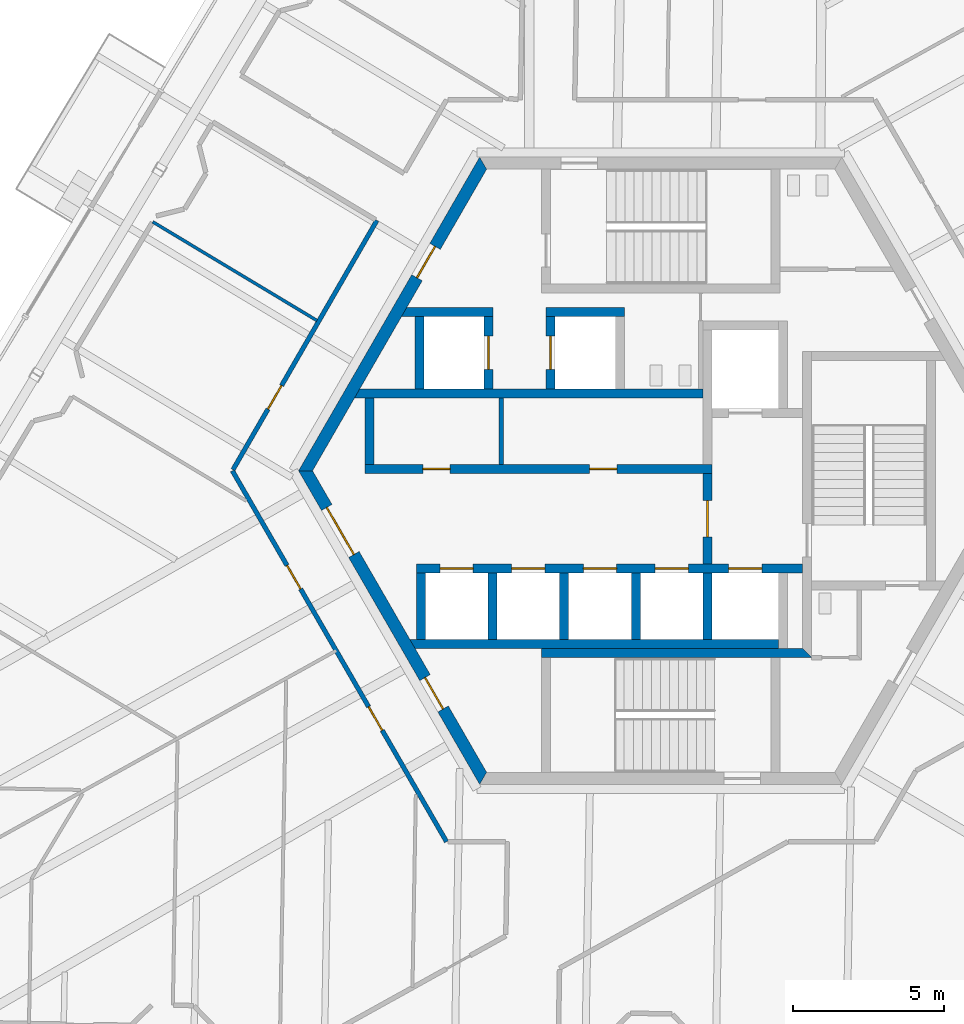
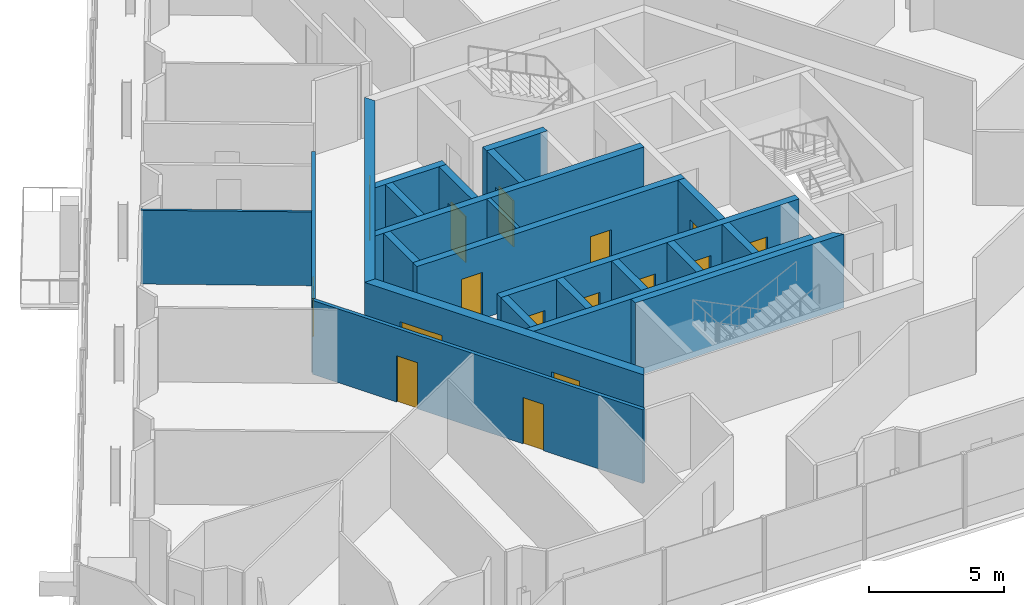
# One storey, part 16 of 24: 23 walls, 16 doors, 16 openings.
"""IFC4 building model written with IfcOpenShell, lengths in metres."""

from ifc_helpers import new_model, si_unit, direction, frame, frame_2d, origin, place, context, subcontext, project, spatial, polyline, rectangle, outline, extrude, source, transform, mapped, material, layer, layer_set, type_object, element, fill, save


model = new_model("IFC4")

# Units and contexts
model_context = context("Model", 3, precision=1e-05, world=origin(), true_north=direction((0.0, 1.0)))
body_context = subcontext(model_context, "Body", "Model", "MODEL_VIEW")
ifc_project = project(units=[si_unit("LENGTHUNIT", "METRE"), si_unit("AREAUNIT", "SQUARE_METRE"), si_unit("VOLUMEUNIT", "CUBIC_METRE"), si_unit("PLANEANGLEUNIT", "RADIAN"), si_unit("MASSUNIT", "GRAM", prefix="KILO")], contexts=[model_context])

# Site, building, storey
site_placement = place(None, origin())
site = spatial("IfcSite", under=ifc_project, at=site_placement, CompositionType="ELEMENT")
building_placement = place(site_placement, origin())
building = spatial("IfcBuilding", under=site, at=building_placement, Name="Triune Harvest Tower", CompositionType="ELEMENT")
storey_placement = place(building_placement, frame((0.0, 0.0, 212.300048828125)))
storey = spatial("IfcBuildingStorey", under=building, at=storey_placement, Name="L55", CompositionType="ELEMENT", Elevation=212.300048828125)

# Wall, openings, doors
ifc_material_1 = material(Name="Gypsum board on steel studs", Category="steel")
ifc_layer_1 = layer(ifc_material_1, 0.14990234375)
ifc_layer_set_1 = layer_set([ifc_layer_1], Name="Gypsum board on steel studs")
wall_type_1 = type_object("IfcWallType", Name="Fire Partition 150 mm", PredefinedType="PARTITIONING", material=ifc_layer_set_1)
wall_1_placement = place(storey_placement, frame((-14.19384765625, -0.000244140625, 0.0), z_axis=(0.0, 0.0, 1.0), x_axis=(0.499994435258, -0.866028616566, 0.0)))
wall_1 = element("IfcWall", 1, at=wall_1_placement, inside=storey, type_object=wall_type_1, Name="Partition L55 026", PredefinedType="PARTITIONING", context=body_context, shape_type="SweptSolid", body=[
    extrude(rectangle(XDim=14.193603515625, YDim=0.14990234375, at=frame_2d((7.0966796875, 0.0))), origin(), (0.0, 0.0, 1.0), 3.349853515625),
])
opening_1_placement = place(wall_1_placement, frame((3.622314453125, 0.0, 0.0)))
opening_1 = element("IfcOpeningElement", 2, at=opening_1_placement, cuts=wall_1, Name="Opening L55-017", PredefinedType="OPENING", context=body_context, shape_type="SweptSolid", body=[
    extrude(rectangle(XDim=0.89990234375, YDim=2.10009765625, at=frame_2d((0.449951171875, 1.050048828125))), frame((0.0, 0.0849609375, 0.0), z_axis=(0.0, -1.0, 0.0), x_axis=(1.0, 0.0, 0.0)), (0.0, 0.0, 1.0), 0.169921875),
])
opening_2_placement = place(wall_1_placement, frame((9.0322265625, 0.0, 0.0)))
opening_2 = element("IfcOpeningElement", 3, at=opening_2_placement, cuts=wall_1, Name="Opening L55-023", PredefinedType="OPENING", context=body_context, shape_type="SweptSolid", body=[
    extrude(rectangle(XDim=0.89990234375, YDim=2.10009765625, at=frame_2d((0.449951171875, 1.050048828125))), frame((0.0, 0.0849609375, 0.0), z_axis=(0.0, -1.0, 0.0), x_axis=(1.0, 0.0, 0.0)), (0.0, 0.0, 1.0), 0.169921875),
])
ifc_material_2 = material(Name="Timber and steel door set", Category="steel")
door_type_1 = type_object("IfcDoorType", Name="Single leaf door FD30 left hand 900 x 2100", OperationType="SINGLE_SWING_LEFT", PredefinedType="DOOR", material=ifc_material_2)
door_1_placement = place(opening_2_placement, origin())
door_1 = element("IfcDoor", 4, at=door_1_placement, inside=storey, type_object=door_type_1, Name="Door L55-023 Office 55.23", OperationType="SINGLE_SWING_LEFT", OverallHeight=2.10009765625, OverallWidth=0.89990234375, PredefinedType="DOOR", context=body_context, shape_type="SweptSolid", body=[
    extrude(rectangle(XDim=0.89990234375, YDim=2.10009765625, at=frame_2d((0.449951171875, 1.050048828125))), frame((0.0, 0.02490234375, 0.0), z_axis=(0.0, -1.0, 0.0), x_axis=(1.0, 0.0, 0.0)), (0.0, 0.0, 1.0), 0.050048828125),
])
fill(opening_2, door_1)
ifc_material_3 = material(Name="Timber and steel door set", Category="steel")
door_type_2 = type_object("IfcDoorType", Name="Single leaf door FD30 right hand 900 x 2100", OperationType="SINGLE_SWING_RIGHT", PredefinedType="DOOR", material=ifc_material_3)
door_2_placement = place(opening_1_placement, origin())
door_2 = element("IfcDoor", 5, at=door_2_placement, inside=storey, type_object=door_type_2, Name="Door L55-017 Office 55.17", OperationType="SINGLE_SWING_RIGHT", OverallHeight=2.10009765625, OverallWidth=0.89990234375, PredefinedType="DOOR", context=body_context, shape_type="SweptSolid", body=[
    extrude(rectangle(XDim=0.89990234375, YDim=2.10009765625, at=frame_2d((0.449951171875, 1.050048828125))), frame((0.0, 0.02490234375, 0.0), z_axis=(0.0, -1.0, 0.0), x_axis=(1.0, 0.0, 0.0)), (0.0, 0.0, 1.0), 0.050048828125),
])
fill(opening_1, door_2)

# Wall, opening, door
wall_2_placement = place(storey_placement, frame((-14.173828125, 0.034423828125, 0.0), z_axis=(0.0, 0.0, 1.0), x_axis=(0.499983238857, 0.866035080619, 0.0)))
wall_2 = element("IfcWall", 6, at=wall_2_placement, inside=storey, type_object=wall_type_1, Name="Partition L55 123", PredefinedType="PARTITIONING", context=body_context, shape_type="SweptSolid", body=[
    extrude(rectangle(XDim=9.535400390625, YDim=0.14990234375, at=frame_2d((4.767578125, 0.0))), origin(), (0.0, 0.0, 1.0), 3.349853515625),
])
opening_3_placement = place(wall_2_placement, frame((2.3212890625, 0.0, 0.0)))
opening_3 = element("IfcOpeningElement", 7, at=opening_3_placement, cuts=wall_2, Name="Opening L55-016", PredefinedType="OPENING", context=body_context, shape_type="SweptSolid", body=[
    extrude(rectangle(XDim=0.89990234375, YDim=2.10009765625, at=frame_2d((0.449951171875, 1.050048828125))), frame((0.0, 0.0849609375, 0.0), z_axis=(0.0, -1.0, 0.0), x_axis=(1.0, 0.0, 0.0)), (0.0, 0.0, 1.0), 0.169921875),
])
door_3_placement = place(opening_3_placement, origin())
door_3 = element("IfcDoor", 8, at=door_3_placement, inside=storey, type_object=door_type_1, Name="Door L55-016 Meeting Room 55.16", OperationType="SINGLE_SWING_LEFT", OverallHeight=2.10009765625, OverallWidth=0.89990234375, PredefinedType="DOOR", context=body_context, shape_type="SweptSolid", body=[
    extrude(rectangle(XDim=0.89990234375, YDim=2.10009765625, at=frame_2d((0.449951171875, 1.050048828125))), frame((0.0, 0.02490234375, 0.0), z_axis=(0.0, -1.0, 0.0), x_axis=(1.0, 0.0, 0.0)), (0.0, 0.0, 1.0), 0.050048828125),
])
fill(opening_3, door_3)

# Wall
ifc_material_4 = material(Name="Gypsum board on steel studs", Category="steel")
ifc_layer_2 = layer(ifc_material_4, 0.10009765625)
ifc_layer_set_2 = layer_set([ifc_layer_2], Name="Gypsum board on steel studs")
wall_type_2 = type_object("IfcWallType", Name="Partition 100 mm", PredefinedType="PARTITIONING", material=ifc_layer_set_2)
wall_3_placement = place(storey_placement, frame((-16.83349609375, 8.247802734375, 0.0), z_axis=(0.0, 0.0, 1.0), x_axis=(0.857184103166, -0.515010109881, 0.0)))
element("IfcWall", 9, at=wall_3_placement, inside=storey, type_object=wall_type_2, Name="Partition L55 037", PredefinedType="PARTITIONING", context=body_context, shape_type="SweptSolid", body=[
    extrude(rectangle(XDim=6.350830078125, YDim=0.10009765625, at=frame_2d((3.17529296875, 0.0))), origin(), (0.0, 0.0, 1.0), 3.349853515625),
])

# Wall, opening, door
ifc_material_5 = material(Name="Concrete 70 MPa", Category="concrete")
ifc_layer_3 = layer(ifc_material_5, 0.39990234375)
ifc_layer_set_3 = layer_set([ifc_layer_3], Name="Concrete 70 MPa")
wall_type_3 = type_object("IfcWallType", Name="Core wall 400", PredefinedType="SHEAR", material=ifc_layer_set_3)
shared_shape_1 = source(origin(), body_context, "Body", "SweptSolid", [
    extrude(outline(polyline([(-0.115478515625, -0.199951171875), (11.884521484375, -0.199951171875), (11.653564453125, 0.199951171875), (0.115478515625, 0.199951171875), (-0.115478515625, -0.199951171875)])), origin(), (0.0, 0.0, 1.0), 3.349853515625),
])
wall_4_placement = place(storey_placement, frame((-5.884521484375, 10.1923828125, 0.0), z_axis=(0.0, 0.0, 1.0), x_axis=(-0.499996592174, -0.866027371285, 0.0)))
wall_4 = element("IfcWall", 10, at=wall_4_placement, inside=storey, type_object=wall_type_3, Name="Hexagon 2 wall", PredefinedType="SHEAR", context=body_context, shape_type="MappedRepresentation", body=[
    mapped(shared_shape_1, transform((0.0, 0.0, 0.0), scale=1.0)),
])
opening_4_placement = place(wall_4_placement, frame((3.1845703125, 0.0, 0.0)))
opening_4 = element("IfcOpeningElement", 11, at=opening_4_placement, cuts=wall_4, Name="Opening CD-SVP", PredefinedType="OPENING", context=body_context, shape_type="SweptSolid", body=[
    extrude(rectangle(XDim=1.199951171875, YDim=2.10009765625, at=frame_2d((0.60009765625, 1.050048828125))), frame((0.0, 0.2099609375, 0.0), z_axis=(0.0, -1.0, 0.0), x_axis=(1.0, 0.0, 0.0)), (0.0, 0.0, 1.0), 0.419921875),
])
ifc_material_6 = material(Name="Steel S235", Category="steel")
door_type_3 = type_object("IfcDoorType", Name="Service door 1200 FD120", OperationType="SINGLE_SWING_LEFT", PredefinedType="DOOR", material=ifc_material_6)
door_4_placement = place(opening_4_placement, frame((1.199951171875, 0.0, 0.0), z_axis=(0.0, 0.0, 1.0), x_axis=(-1.0, 0.0, 0.0)))
door_4 = element("IfcDoor", 12, at=door_4_placement, inside=storey, type_object=door_type_3, Name="Door CD-SVP", OperationType="SINGLE_SWING_RIGHT", OverallHeight=2.10009765625, OverallWidth=1.199951171875, PredefinedType="DOOR", context=body_context, shape_type="SweptSolid", body=[
    extrude(rectangle(XDim=1.199951171875, YDim=2.10009765625, at=frame_2d((0.60009765625, 1.050048828125))), frame((0.0, 0.02490234375, 0.0), z_axis=(0.0, -1.0, 0.0), x_axis=(1.0, 0.0, 0.0)), (0.0, 0.0, 1.0), 0.050048828125),
])
fill(opening_4, door_4)

# Wall, openings, doors
wall_5_placement = place(storey_placement, frame((-11.76904296875, 0.0, 0.0), z_axis=(0.0, 0.0, 1.0), x_axis=(0.499996592174, -0.866027371285, 0.0)))
wall_5 = element("IfcWall", 13, at=wall_5_placement, inside=storey, type_object=wall_type_3, Name="Hexagon 3 wall", PredefinedType="SHEAR", context=body_context, shape_type="MappedRepresentation", body=[
    mapped(shared_shape_1, transform((0.0, 0.0, 0.0), scale=1.0)),
])
opening_5_placement = place(wall_5_placement, frame((1.404541015625, 0.0, 0.0)))
opening_5 = element("IfcOpeningElement", 14, at=opening_5_placement, cuts=wall_5, Name="Opening CD-LS", PredefinedType="OPENING", context=body_context, shape_type="SweptSolid", body=[
    extrude(rectangle(XDim=1.800048828125, YDim=2.10009765625, at=frame_2d((0.89990234375, 1.050048828125))), frame((0.0, 0.2099609375, 0.0), z_axis=(0.0, -1.0, 0.0), x_axis=(1.0, 0.0, 0.0)), (0.0, 0.0, 1.0), 0.419921875),
])
opening_6_placement = place(wall_5_placement, frame((7.91455078125, 0.0, 0.0)))
opening_6 = element("IfcOpeningElement", 15, at=opening_6_placement, cuts=wall_5, Name="Opening CD-SWP", PredefinedType="OPENING", context=body_context, shape_type="SweptSolid", body=[
    extrude(rectangle(XDim=1.199951171875, YDim=2.10009765625, at=frame_2d((0.60009765625, 1.050048828125))), frame((0.0, 0.2099609375, 0.0), z_axis=(0.0, -1.0, 0.0), x_axis=(1.0, 0.0, 0.0)), (0.0, 0.0, 1.0), 0.419921875),
])
ifc_material_7 = material(Name="Steel S235", Category="steel")
door_type_4 = type_object("IfcDoorType", Name="Lobby door 1800 FD120", OperationType="DOUBLE_DOOR_DOUBLE_SWING", PredefinedType="DOOR", material=ifc_material_7)
door_5_placement = place(opening_5_placement, frame((1.800048828125, 0.0, 0.0), z_axis=(0.0, 0.0, 1.0), x_axis=(-1.0, 0.0, 0.0)))
door_5 = element("IfcDoor", 16, at=door_5_placement, inside=storey, type_object=door_type_4, Name="Door CD-LS", OperationType="DOUBLE_DOOR_DOUBLE_SWING", OverallHeight=2.10009765625, OverallWidth=1.800048828125, PredefinedType="DOOR", context=body_context, shape_type="SweptSolid", body=[
    extrude(rectangle(XDim=1.800048828125, YDim=2.10009765625, at=frame_2d((0.89990234375, 1.050048828125))), frame((0.0, 0.02490234375, 0.0), z_axis=(0.0, -1.0, 0.0), x_axis=(1.0, 0.0, 0.0)), (0.0, 0.0, 1.0), 0.050048828125),
])
fill(opening_5, door_5)
door_6_placement = place(opening_6_placement, frame((1.199951171875, 0.0, 0.0), z_axis=(0.0, 0.0, 1.0), x_axis=(-1.0, 0.0, 0.0)))
door_6 = element("IfcDoor", 17, at=door_6_placement, inside=storey, type_object=door_type_3, Name="Door CD-SWP", OperationType="SINGLE_SWING_RIGHT", OverallHeight=2.10009765625, OverallWidth=1.199951171875, PredefinedType="DOOR", context=body_context, shape_type="SweptSolid", body=[
    extrude(rectangle(XDim=1.199951171875, YDim=2.10009765625, at=frame_2d((0.60009765625, 1.050048828125))), frame((0.0, 0.02490234375, 0.0), z_axis=(0.0, -1.0, 0.0), x_axis=(1.0, 0.0, 0.0)), (0.0, 0.0, 1.0), 0.050048828125),
])
fill(opening_6, door_6)

ifc_material_8 = material(Name="Concrete 70 MPa", Category="concrete")
ifc_layer_4 = layer(ifc_material_8, 0.300048828125)
ifc_layer_set_4 = layer_set([ifc_layer_4], Name="Concrete 70 MPa")
wall_type_4 = type_object("IfcWallType", Name="Core wall 300", PredefinedType="SHEAR", material=ifc_layer_set_4)
shared_shape_2 = source(origin(), body_context, "Body", "SweptSolid", [
    extrude(rectangle(XDim=11.5, YDim=0.300048828125, at=frame_2d((5.75, 0.0))), origin(), (0.0, 0.0, 1.0), 3.349853515625),
])
wall_6_placement = place(storey_placement, frame((-9.800048828125, 0.06005859375, 0.0), z_axis=(0.0, 0.0, 1.0), x_axis=(1.0, 0.0, 0.0)))
wall_6 = element("IfcWall", 18, at=wall_6_placement, inside=storey, type_object=wall_type_4, Name="North front wall", PredefinedType="SHEAR", context=body_context, shape_type="MappedRepresentation", body=[
    mapped(shared_shape_2, transform((0.0, 0.0, 0.0), scale=1.0)),
])
opening_7_placement = place(wall_6_placement, frame((1.922607421875, 0.0, 0.0)))
opening_7 = element("IfcOpeningElement", 19, at=opening_7_placement, cuts=wall_6, Name="Opening CD-RN1", PredefinedType="OPENING", context=body_context, shape_type="SweptSolid", body=[
    extrude(rectangle(XDim=0.89990234375, YDim=2.10009765625, at=frame_2d((0.449951171875, 1.050048828125))), frame((0.0, 0.16015625, 0.0), z_axis=(0.0, -1.0, 0.0), x_axis=(1.0, 0.0, 0.0)), (0.0, 0.0, 1.0), 0.320068359375),
])
opening_8_placement = place(wall_6_placement, frame((7.447509765625, 0.0, 0.0)))
opening_8 = element("IfcOpeningElement", 20, at=opening_8_placement, cuts=wall_6, Name="Opening CD-RN2", PredefinedType="OPENING", context=body_context, shape_type="SweptSolid", body=[
    extrude(rectangle(XDim=0.89990234375, YDim=2.10009765625, at=frame_2d((0.449951171875, 1.050048828125))), frame((0.0, 0.16015625, 0.0), z_axis=(0.0, -1.0, 0.0), x_axis=(1.0, 0.0, 0.0)), (0.0, 0.0, 1.0), 0.320068359375),
])
ifc_material_9 = material(Name="Steel S235", Category="steel")
door_type_5 = type_object("IfcDoorType", Name="Riser door 900 FD120", OperationType="SINGLE_SWING_LEFT", PredefinedType="DOOR", material=ifc_material_9)
door_7_placement = place(opening_7_placement, frame((0.89990234375, 0.0, 0.0), z_axis=(0.0, 0.0, 1.0), x_axis=(-1.0, 0.0, 0.0)))
door_7 = element("IfcDoor", 21, at=door_7_placement, inside=storey, type_object=door_type_5, Name="Door CD-RN1", OperationType="SINGLE_SWING_RIGHT", OverallHeight=2.10009765625, OverallWidth=0.89990234375, PredefinedType="DOOR", context=body_context, shape_type="SweptSolid", body=[
    extrude(rectangle(XDim=0.89990234375, YDim=2.10009765625, at=frame_2d((0.449951171875, 1.050048828125))), frame((0.0, 0.02490234375, 0.0), z_axis=(0.0, -1.0, 0.0), x_axis=(1.0, 0.0, 0.0)), (0.0, 0.0, 1.0), 0.050048828125),
])
fill(opening_7, door_7)
door_8_placement = place(opening_8_placement, frame((0.89990234375, 0.0, 0.0), z_axis=(0.0, 0.0, 1.0), x_axis=(-1.0, 0.0, 0.0)))
door_8 = element("IfcDoor", 22, at=door_8_placement, inside=storey, type_object=door_type_5, Name="Door CD-RN2", OperationType="SINGLE_SWING_RIGHT", OverallHeight=2.10009765625, OverallWidth=0.89990234375, PredefinedType="DOOR", context=body_context, shape_type="SweptSolid", body=[
    extrude(rectangle(XDim=0.89990234375, YDim=2.10009765625, at=frame_2d((0.449951171875, 1.050048828125))), frame((0.0, 0.02490234375, 0.0), z_axis=(0.0, -1.0, 0.0), x_axis=(1.0, 0.0, 0.0)), (0.0, 0.0, 1.0), 0.050048828125),
])
fill(opening_8, door_8)

# Wall
shared_shape_3 = source(origin(), body_context, "Body", "SweptSolid", [
    extrude(outline(polyline([(11.199951171875, -0.14990234375), (-0.34912109375, -0.14990234375), (-0.17578125, 0.14990234375), (11.199951171875, 0.14990234375), (11.199951171875, -0.14990234375)])), origin(), (0.0, 0.0, 1.0), 3.349853515625),
])
wall_7_placement = place(storey_placement, frame((-9.800048828125, 2.56005859375, 0.0), z_axis=(0.0, 0.0, 1.0), x_axis=(1.0, 0.0, 0.0)))
element("IfcWall", 23, at=wall_7_placement, inside=storey, type_object=wall_type_4, Name="North back wall", PredefinedType="SHEAR", context=body_context, shape_type="MappedRepresentation", body=[
    mapped(shared_shape_3, transform((0.0, 0.0, 0.0), scale=1.0)),
])

# Wall, opening, door
shared_shape_4 = source(origin(), body_context, "Body", "SweptSolid", [
    extrude(rectangle(XDim=3.0, YDim=0.300048828125, at=frame_2d((1.5, 0.0))), origin(), (0.0, 0.0, 1.0), 3.349853515625),
])
wall_8_placement = place(storey_placement, frame((1.550048828125, -3.090087890625, 0.0), z_axis=(0.0, 0.0, 1.0), x_axis=(0.0, 1.0, 0.0)))
wall_8 = element("IfcWall", 24, at=wall_8_placement, inside=storey, type_object=wall_type_4, Name="Ff lobby west wall", PredefinedType="SHEAR", context=body_context, shape_type="MappedRepresentation", body=[
    mapped(shared_shape_4, transform((0.0, 0.0, 0.0), scale=1.0)),
])
opening_9_placement = place(wall_8_placement, frame((0.89990234375, 0.0, 0.0)))
opening_9 = element("IfcOpeningElement", 25, at=opening_9_placement, cuts=wall_8, Name="Opening CD-FL", PredefinedType="OPENING", context=body_context, shape_type="SweptSolid", body=[
    extrude(rectangle(XDim=1.199951171875, YDim=2.10009765625, at=frame_2d((0.60009765625, 1.050048828125))), frame((0.0, 0.16015625, 0.0), z_axis=(0.0, -1.0, 0.0), x_axis=(1.0, 0.0, 0.0)), (0.0, 0.0, 1.0), 0.320068359375),
])
ifc_material_10 = material(Name="Steel S235", Category="steel")
door_type_6 = type_object("IfcDoorType", Name="Firefighters' lobby door 1200 FD120", OperationType="SINGLE_SWING_LEFT", PredefinedType="DOOR", material=ifc_material_10)
door_9_placement = place(opening_9_placement, frame((1.199951171875, 0.0, 0.0), z_axis=(0.0, 0.0, 1.0), x_axis=(-1.0, 0.0, 0.0)))
door_9 = element("IfcDoor", 26, at=door_9_placement, inside=storey, type_object=door_type_6, Name="Door CD-FL", OperationType="SINGLE_SWING_RIGHT", OverallHeight=2.10009765625, OverallWidth=1.199951171875, PredefinedType="DOOR", context=body_context, shape_type="SweptSolid", body=[
    extrude(rectangle(XDim=1.199951171875, YDim=2.10009765625, at=frame_2d((0.60009765625, 1.050048828125))), frame((0.0, 0.02490234375, 0.0), z_axis=(0.0, -1.0, 0.0), x_axis=(1.0, 0.0, 0.0)), (0.0, 0.0, 1.0), 0.050048828125),
])
fill(opening_9, door_9)

# Wall, openings, doors
shared_shape_5 = source(origin(), body_context, "Body", "SweptSolid", [
    extrude(rectangle(XDim=12.800048828125, YDim=0.300048828125, at=frame_2d((6.39990234375, 0.0))), origin(), (0.0, 0.0, 1.0), 3.349853515625),
])
wall_9_placement = place(storey_placement, frame((-8.10009765625, -3.239990234375, 0.0), z_axis=(0.0, 0.0, 1.0), x_axis=(1.0, 0.0, 0.0)))
wall_9 = element("IfcWall", 27, at=wall_9_placement, inside=storey, type_object=wall_type_4, Name="South front wall", PredefinedType="SHEAR", context=body_context, shape_type="MappedRepresentation", body=[
    mapped(shared_shape_5, transform((0.0, 0.0, 0.0), scale=1.0)),
])
opening_10_placement = place(wall_9_placement, frame((0.78759765625, 0.0, 0.0)))
opening_10 = element("IfcOpeningElement", 28, at=opening_10_placement, cuts=wall_9, Name="Opening LD-HR1-55", PredefinedType="OPENING", context=body_context, shape_type="SweptSolid", body=[
    extrude(rectangle(XDim=1.10009765625, YDim=2.10009765625, at=frame_2d((0.550048828125, 1.050048828125))), frame((0.0, 0.16015625, 0.0), z_axis=(0.0, -1.0, 0.0), x_axis=(1.0, 0.0, 0.0)), (0.0, 0.0, 1.0), 0.320068359375),
])
opening_11_placement = place(wall_9_placement, frame((3.16259765625, 0.0, 0.0)))
opening_11 = element("IfcOpeningElement", 29, at=opening_11_placement, cuts=wall_9, Name="Opening LD-HR2-55", PredefinedType="OPENING", context=body_context, shape_type="SweptSolid", body=[
    extrude(rectangle(XDim=1.10009765625, YDim=2.10009765625, at=frame_2d((0.550048828125, 1.050048828125))), frame((0.0, 0.16015625, 0.0), z_axis=(0.0, -1.0, 0.0), x_axis=(1.0, 0.0, 0.0)), (0.0, 0.0, 1.0), 0.320068359375),
])
opening_12_placement = place(wall_9_placement, frame((5.53759765625, 0.0, 0.0)))
opening_12 = element("IfcOpeningElement", 30, at=opening_12_placement, cuts=wall_9, Name="Opening LD-HR3-55", PredefinedType="OPENING", context=body_context, shape_type="SweptSolid", body=[
    extrude(rectangle(XDim=1.10009765625, YDim=2.10009765625, at=frame_2d((0.550048828125, 1.050048828125))), frame((0.0, 0.16015625, 0.0), z_axis=(0.0, -1.0, 0.0), x_axis=(1.0, 0.0, 0.0)), (0.0, 0.0, 1.0), 0.320068359375),
])
opening_13_placement = place(wall_9_placement, frame((7.91259765625, 0.0, 0.0)))
opening_13 = element("IfcOpeningElement", 31, at=opening_13_placement, cuts=wall_9, Name="Opening LD-HR4-55", PredefinedType="OPENING", context=body_context, shape_type="SweptSolid", body=[
    extrude(rectangle(XDim=1.10009765625, YDim=2.10009765625, at=frame_2d((0.550048828125, 1.050048828125))), frame((0.0, 0.16015625, 0.0), z_axis=(0.0, -1.0, 0.0), x_axis=(1.0, 0.0, 0.0)), (0.0, 0.0, 1.0), 0.320068359375),
])
opening_14_placement = place(wall_9_placement, frame((10.35009765625, 0.0, 0.0)))
opening_14 = element("IfcOpeningElement", 32, at=opening_14_placement, cuts=wall_9, Name="Opening LD-FF2-55", PredefinedType="OPENING", context=body_context, shape_type="SweptSolid", body=[
    extrude(rectangle(XDim=1.10009765625, YDim=2.10009765625, at=frame_2d((0.550048828125, 1.050048828125))), frame((0.0, 0.16015625, 0.0), z_axis=(0.0, -1.0, 0.0), x_axis=(1.0, 0.0, 0.0)), (0.0, 0.0, 1.0), 0.320068359375),
])
ifc_material_11 = material(Name="Stainless steel AISI 304", Category="steel")
door_type_7 = type_object("IfcDoorType", Name="Landing door 1100 x 2100", OperationType="DOUBLE_DOOR_SLIDING", PredefinedType="DOOR", material=ifc_material_11)
door_10_placement = place(opening_10_placement, origin())
door_10 = element("IfcDoor", 33, at=door_10_placement, inside=storey, type_object=door_type_7, Name="Door LD-HR1-55", OperationType="DOUBLE_DOOR_SLIDING", OverallHeight=2.10009765625, OverallWidth=1.10009765625, PredefinedType="DOOR", context=body_context, shape_type="SweptSolid", body=[
    extrude(rectangle(XDim=1.10009765625, YDim=2.10009765625, at=frame_2d((0.550048828125, 1.050048828125))), frame((0.0, 0.02490234375, 0.0), z_axis=(0.0, -1.0, 0.0), x_axis=(1.0, 0.0, 0.0)), (0.0, 0.0, 1.0), 0.050048828125),
])
fill(opening_10, door_10)
door_11_placement = place(opening_11_placement, origin())
door_11 = element("IfcDoor", 34, at=door_11_placement, inside=storey, type_object=door_type_7, Name="Door LD-HR2-55", OperationType="DOUBLE_DOOR_SLIDING", OverallHeight=2.10009765625, OverallWidth=1.10009765625, PredefinedType="DOOR", context=body_context, shape_type="SweptSolid", body=[
    extrude(rectangle(XDim=1.10009765625, YDim=2.10009765625, at=frame_2d((0.550048828125, 1.050048828125))), frame((0.0, 0.02490234375, 0.0), z_axis=(0.0, -1.0, 0.0), x_axis=(1.0, 0.0, 0.0)), (0.0, 0.0, 1.0), 0.050048828125),
])
fill(opening_11, door_11)
door_12_placement = place(opening_12_placement, origin())
door_12 = element("IfcDoor", 35, at=door_12_placement, inside=storey, type_object=door_type_7, Name="Door LD-HR3-55", OperationType="DOUBLE_DOOR_SLIDING", OverallHeight=2.10009765625, OverallWidth=1.10009765625, PredefinedType="DOOR", context=body_context, shape_type="SweptSolid", body=[
    extrude(rectangle(XDim=1.10009765625, YDim=2.10009765625, at=frame_2d((0.550048828125, 1.050048828125))), frame((0.0, 0.02490234375, 0.0), z_axis=(0.0, -1.0, 0.0), x_axis=(1.0, 0.0, 0.0)), (0.0, 0.0, 1.0), 0.050048828125),
])
fill(opening_12, door_12)
door_13_placement = place(opening_13_placement, origin())
door_13 = element("IfcDoor", 36, at=door_13_placement, inside=storey, type_object=door_type_7, Name="Door LD-HR4-55", OperationType="DOUBLE_DOOR_SLIDING", OverallHeight=2.10009765625, OverallWidth=1.10009765625, PredefinedType="DOOR", context=body_context, shape_type="SweptSolid", body=[
    extrude(rectangle(XDim=1.10009765625, YDim=2.10009765625, at=frame_2d((0.550048828125, 1.050048828125))), frame((0.0, 0.02490234375, 0.0), z_axis=(0.0, -1.0, 0.0), x_axis=(1.0, 0.0, 0.0)), (0.0, 0.0, 1.0), 0.050048828125),
])
fill(opening_13, door_13)
door_14_placement = place(opening_14_placement, origin())
door_14 = element("IfcDoor", 37, at=door_14_placement, inside=storey, type_object=door_type_7, Name="Door LD-FF2-55", OperationType="DOUBLE_DOOR_SLIDING", OverallHeight=2.10009765625, OverallWidth=1.10009765625, PredefinedType="DOOR", context=body_context, shape_type="SweptSolid", body=[
    extrude(rectangle(XDim=1.10009765625, YDim=2.10009765625, at=frame_2d((0.550048828125, 1.050048828125))), frame((0.0, 0.02490234375, 0.0), z_axis=(0.0, -1.0, 0.0), x_axis=(1.0, 0.0, 0.0)), (0.0, 0.0, 1.0), 0.050048828125),
])
fill(opening_14, door_14)

# Walls
shared_shape_6 = source(origin(), body_context, "Body", "SweptSolid", [
    extrude(outline(polyline([(12.0, -0.14990234375), (-0.039794921875, -0.14990234375), (-0.212890625, 0.14990234375), (12.0, 0.14990234375), (12.0, -0.14990234375)])), origin(), (0.0, 0.0, 1.0), 3.349853515625),
])
wall_10_placement = place(storey_placement, frame((-8.10009765625, -5.739990234375, 0.0), z_axis=(0.0, 0.0, 1.0), x_axis=(1.0, 0.0, 0.0)))
element("IfcWall", 38, at=wall_10_placement, inside=storey, type_object=wall_type_4, Name="South back wall", PredefinedType="SHEAR", context=body_context, shape_type="MappedRepresentation", body=[
    mapped(shared_shape_6, transform((0.0, 0.0, 0.0), scale=1.0)),
])
shared_shape_7 = source(origin(), body_context, "Body", "SweptSolid", [
    extrude(rectangle(XDim=2.2001953125, YDim=0.300048828125, at=frame_2d((1.10009765625, 0.0))), origin(), (0.0, 0.0, 1.0), 3.349853515625),
])
for number, where, z_axis, x_axis, name in (
    (39, (-7.949951171875, -5.590087890625, 0.0), (0.0, 0.0, 1.0), (0.0, 1.0, 0.0), "South end west wall"),
    (40, (1.550048828125, -5.590087890625, 0.0), (0.0, 0.0, 1.0), (0.0, 1.0, 0.0), "Ff2 west wall"),
    (41, (-5.574951171875, -5.590087890625, 0.0), (0.0, 0.0, 1.0), (0.0, 1.0, 0.0), "South cross 1 wall"),
    (42, (-3.199951171875, -5.590087890625, 0.0), (0.0, 0.0, 1.0), (0.0, 1.0, 0.0), "South cross 2 wall"),
    (43, (-0.824951171875, -5.590087890625, 0.0), (0.0, 0.0, 1.0), (0.0, 1.0, 0.0), "South cross 3 wall"),
):
    element("IfcWall", number, at=place(storey_placement, frame(where, z_axis=z_axis, x_axis=x_axis)), inside=storey, type_object=wall_type_4, Name=name, PredefinedType="SHEAR", context=body_context, shape_type="MappedRepresentation", body=[
        mapped(shared_shape_7, transform((0.0, 0.0, 0.0), scale=1.0)),
    ])
shared_shape_8 = source(origin(), body_context, "Body", "SweptSolid", [
    extrude(rectangle(XDim=2.199951171875, YDim=0.300048828125, at=frame_2d((1.10009765625, 0.0))), origin(), (0.0, 0.0, 1.0), 3.349853515625),
])
wall_11_placement = place(storey_placement, frame((-9.64990234375, 0.2099609375, 0.0), z_axis=(0.0, 0.0, 1.0), x_axis=(0.0, 1.0, 0.0)))
element("IfcWall", 44, at=wall_11_placement, inside=storey, type_object=wall_type_4, Name="North end west wall", PredefinedType="SHEAR", context=body_context, shape_type="MappedRepresentation", body=[
    mapped(shared_shape_8, transform((0.0, 0.0, 0.0), scale=1.0)),
])
shared_shape_9 = source(origin(), body_context, "Body", "SweptSolid", [
    extrude(outline(polyline([(0.0, -0.14990234375), (8.949951171875, -0.14990234375), (8.64990234375, 0.14990234375), (0.0, 0.14990234375), (0.0, -0.14990234375)])), origin(), (0.0, 0.0, 1.0), 3.349853515625),
])
wall_12_placement = place(storey_placement, frame((-3.949951171875, -6.0400390625, 0.0), z_axis=(0.0, 0.0, 1.0), x_axis=(1.0, 0.0, 0.0)))
element("IfcWall", 45, at=wall_12_placement, inside=storey, type_object=wall_type_4, Name="Stair s north wall", PredefinedType="SHEAR", context=body_context, shape_type="MappedRepresentation", body=[
    mapped(shared_shape_9, transform((0.0, 0.0, 0.0), scale=1.0)),
])
shared_shape_10 = source(origin(), body_context, "Body", "SweptSolid", [
    extrude(outline(polyline([(2.60009765625, -0.14990234375), (-0.440185546875, -0.14990234375), (-0.26708984375, 0.14990234375), (2.60009765625, 0.14990234375), (2.60009765625, -0.14990234375)])), origin(), (0.0, 0.0, 1.0), 3.349853515625),
])
wall_13_placement = place(storey_placement, frame((-8.14990234375, 5.260009765625, 0.0), z_axis=(0.0, 0.0, 1.0), x_axis=(1.0, 0.0, 0.0)))
element("IfcWall", 46, at=wall_13_placement, inside=storey, type_object=wall_type_4, Name="Sv1 north wall", PredefinedType="SHEAR", context=body_context, shape_type="MappedRepresentation", body=[
    mapped(shared_shape_10, transform((0.0, 0.0, 0.0), scale=1.0)),
])
shared_shape_11 = source(origin(), body_context, "Body", "SweptSolid", [
    extrude(rectangle(XDim=2.400146484375, YDim=0.300048828125, at=frame_2d((1.2001953125, 0.0))), origin(), (0.0, 0.0, 1.0), 3.349853515625),
])
wall_14_placement = place(storey_placement, frame((-8.0, 2.7099609375, 0.0), z_axis=(0.0, 0.0, 1.0), x_axis=(0.0, 1.0, 0.0)))
element("IfcWall", 47, at=wall_14_placement, inside=storey, type_object=wall_type_4, Name="Sv1 west wall", PredefinedType="SHEAR", context=body_context, shape_type="MappedRepresentation", body=[
    mapped(shared_shape_11, transform((0.0, 0.0, 0.0), scale=1.0)),
])

# Wall, opening, door
wall_15_placement = place(storey_placement, frame((-5.699951171875, 2.7099609375, 0.0), z_axis=(0.0, 0.0, 1.0), x_axis=(0.0, 1.0, 0.0)))
wall_15 = element("IfcWall", 48, at=wall_15_placement, inside=storey, type_object=wall_type_4, Name="Sv1 east wall", PredefinedType="SHEAR", context=body_context, shape_type="MappedRepresentation", body=[
    mapped(shared_shape_11, transform((0.0, 0.0, 0.0), scale=1.0)),
])
opening_15_placement = place(wall_15_placement, frame((0.64990234375, 0.0, 0.0)))
opening_15 = element("IfcOpeningElement", 49, at=opening_15_placement, cuts=wall_15, Name="Opening LD-SV1-55", PredefinedType="OPENING", context=body_context, shape_type="SweptSolid", body=[
    extrude(rectangle(XDim=1.10009765625, YDim=2.10009765625, at=frame_2d((0.550048828125, 1.050048828125))), frame((0.0, 0.16015625, 0.0), z_axis=(0.0, -1.0, 0.0), x_axis=(1.0, 0.0, 0.0)), (0.0, 0.0, 1.0), 0.320068359375),
])
door_15_placement = place(opening_15_placement, origin())
door_15 = element("IfcDoor", 50, at=door_15_placement, inside=storey, type_object=door_type_7, Name="Door LD-SV1-55", OperationType="DOUBLE_DOOR_SLIDING", OverallHeight=2.10009765625, OverallWidth=1.10009765625, PredefinedType="DOOR", context=body_context, shape_type="SweptSolid", body=[
    extrude(rectangle(XDim=1.10009765625, YDim=2.10009765625, at=frame_2d((0.550048828125, 1.050048828125))), frame((0.0, 0.02490234375, 0.0), z_axis=(0.0, -1.0, 0.0), x_axis=(1.0, 0.0, 0.0)), (0.0, 0.0, 1.0), 0.050048828125),
])
fill(opening_15, door_15)

wall_16_placement = place(storey_placement, frame((-3.64990234375, 2.7099609375, 0.0), z_axis=(0.0, 0.0, 1.0), x_axis=(0.0, 1.0, 0.0)))
wall_16 = element("IfcWall", 51, at=wall_16_placement, inside=storey, type_object=wall_type_4, Name="Sv2 west wall", PredefinedType="SHEAR", context=body_context, shape_type="MappedRepresentation", body=[
    mapped(shared_shape_11, transform((0.0, 0.0, 0.0), scale=1.0)),
])
opening_16_placement = place(wall_16_placement, frame((0.64990234375, 0.0, 0.0)))
opening_16 = element("IfcOpeningElement", 52, at=opening_16_placement, cuts=wall_16, Name="Opening LD-SV2-55", PredefinedType="OPENING", context=body_context, shape_type="SweptSolid", body=[
    extrude(rectangle(XDim=1.10009765625, YDim=2.10009765625, at=frame_2d((0.550048828125, 1.050048828125))), frame((0.0, 0.16015625, 0.0), z_axis=(0.0, -1.0, 0.0), x_axis=(1.0, 0.0, 0.0)), (0.0, 0.0, 1.0), 0.320068359375),
])
door_16_placement = place(opening_16_placement, origin())
door_16 = element("IfcDoor", 53, at=door_16_placement, inside=storey, type_object=door_type_7, Name="Door LD-SV2-55", OperationType="DOUBLE_DOOR_SLIDING", OverallHeight=2.10009765625, OverallWidth=1.10009765625, PredefinedType="DOOR", context=body_context, shape_type="SweptSolid", body=[
    extrude(rectangle(XDim=1.10009765625, YDim=2.10009765625, at=frame_2d((0.550048828125, 1.050048828125))), frame((0.0, 0.02490234375, 0.0), z_axis=(0.0, -1.0, 0.0), x_axis=(1.0, 0.0, 0.0)), (0.0, 0.0, 1.0), 0.050048828125),
])
fill(opening_16, door_16)

# Walls
shared_shape_12 = source(origin(), body_context, "Body", "SweptSolid", [
    extrude(rectangle(XDim=2.60009765625, YDim=0.300048828125, at=frame_2d((1.300048828125, 0.0))), origin(), (0.0, 0.0, 1.0), 3.349853515625),
])
wall_17_placement = place(storey_placement, frame((-3.800048828125, 5.260009765625, 0.0), z_axis=(0.0, 0.0, 1.0), x_axis=(1.0, 0.0, 0.0)))
element("IfcWall", 54, at=wall_17_placement, inside=storey, type_object=wall_type_4, Name="Sv2 north wall", PredefinedType="SHEAR", context=body_context, shape_type="MappedRepresentation", body=[
    mapped(shared_shape_12, transform((0.0, 0.0, 0.0), scale=1.0)),
])
ifc_material_12 = material(Name="Concrete masonry unit", Category="masonry")
ifc_layer_5 = layer(ifc_material_12, 0.14990234375)
ifc_layer_set_5 = layer_set([ifc_layer_5], Name="Concrete masonry unit")
wall_type_5 = type_object("IfcWallType", Name="Block partition 150", PredefinedType="PARTITIONING", material=ifc_layer_set_5)
shared_shape_13 = source(origin(), body_context, "Body", "SweptSolid", [
    extrude(rectangle(XDim=2.199951171875, YDim=0.14990234375, at=frame_2d((1.10009765625, 0.0))), origin(), (0.0, 0.0, 1.0), 3.349853515625),
])
wall_18_placement = place(storey_placement, frame((-5.280029296875, 0.2099609375, 0.0), z_axis=(0.0, 0.0, 1.0), x_axis=(0.0, 1.0, 0.0)))
element("IfcWall", 55, at=wall_18_placement, inside=storey, type_object=wall_type_5, Name="Row n part 1 wall", PredefinedType="PARTITIONING", context=body_context, shape_type="MappedRepresentation", body=[
    mapped(shared_shape_13, transform((0.0, 0.0, 0.0), scale=1.0)),
])

save(model, "model.ifc")
